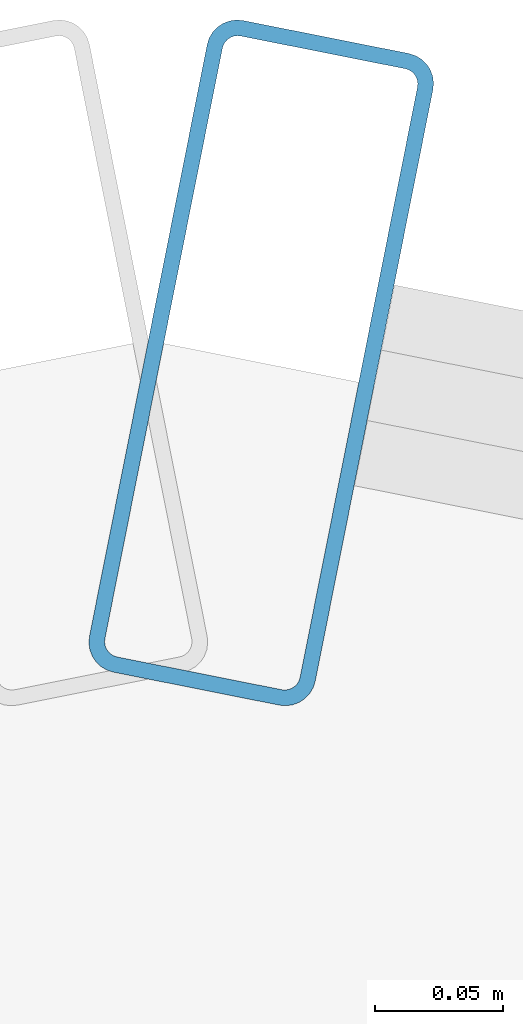
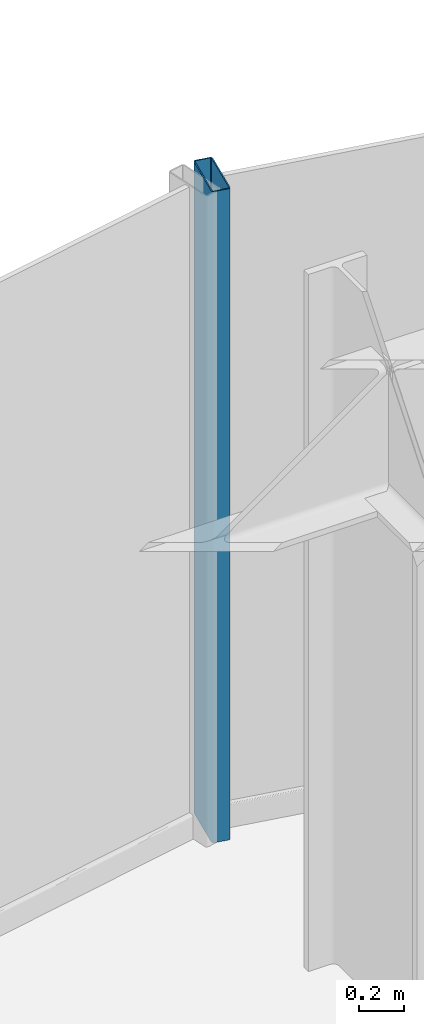
# One storey, part 15 of 25: 1 member, 1 element without a shape of its own.
"""IFC4 building model written with IfcOpenShell, lengths in metres."""

from ifc_helpers import new_model, si_unit, direction, frame, origin, origin_2d, place, context, subcontext, project, spatial, hollow_rectangle, extrude, source, transform, mapped, material, layer, layer_set, material_profile, profile_set, type_object, element, aggregate, save


model = new_model("IFC4")

# Units and contexts
model_context = context("Model", 3, precision=1e-05, world=origin(), true_north=direction((0.0, 1.0)))
body_context = subcontext(model_context, "Body", "Model", "MODEL_VIEW")
ifc_project = project(units=[si_unit("LENGTHUNIT", "METRE"), si_unit("AREAUNIT", "SQUARE_METRE"), si_unit("VOLUMEUNIT", "CUBIC_METRE"), si_unit("PLANEANGLEUNIT", "RADIAN"), si_unit("MASSUNIT", "GRAM", prefix="KILO")], contexts=[model_context])

# Site, building, storey
site_placement = place(None, origin())
site = spatial("IfcSite", under=ifc_project, at=site_placement, CompositionType="ELEMENT")
building_placement = place(site_placement, origin())
building = spatial("IfcBuilding", under=site, at=building_placement, Name="Nefas-Gora Pilgrimage Tower", CompositionType="ELEMENT")
storey_placement = place(building_placement, frame((0.0, 0.0, 52.0)))
storey = spatial("IfcBuildingStorey", under=building, at=storey_placement, Name="L11", CompositionType="ELEMENT", Elevation=52.0)

# Curtain wall, member
ifc_material_1 = material(Name="Dark ceramic-fritted solar-control aluminium-glass curtain wall", Category="aluminium")
ifc_layer = layer(ifc_material_1, 0.219970703125)
ifc_layer_set = layer_set([ifc_layer], Name="Dark ceramic-fritted solar-control aluminium-glass curtain wall")
curtain_wall_type = type_object("IfcCurtainWallType", Name="CW-SYS-5", PredefinedType="NOTDEFINED", material=ifc_layer_set)
curtain_wall_placement = place(storey_placement, origin())
curtain_wall = element("IfcCurtainWall", 1, at=curtain_wall_placement, inside=storey, type_object=curtain_wall_type, Name="L11 Unitised Curtain Wall CW5", PredefinedType="NOTDEFINED")
ifc_material_2 = material(Name="Anodised architectural aluminium", Category="aluminium")
ifc_material_profile = material_profile(ifc_material_2, hollow_rectangle(XDim=0.090087890625, YDim=0.260009765625, WallThickness=0.006103515625, InnerFilletRadius=0.006103515625, OuterFilletRadius=0.011962890625, at=origin_2d()), Name="ALU MULLION 90x260")
ifc_profile_set = profile_set([ifc_material_profile], Name="Anodised architectural aluminium")
member_type = type_object("IfcMemberType", Name="CWM-MUL-5", PredefinedType="MULLION", material=ifc_profile_set)
shared_shape = source(origin(), body_context, "Body", "SweptSolid", [
    extrude(hollow_rectangle(XDim=0.090087890625, YDim=0.260009765625, WallThickness=0.006103515625, InnerFilletRadius=0.006103515625, OuterFilletRadius=0.011962890625, at=origin_2d()), origin(), (0.0, 0.0, 1.0), 3.550048828125),
])
member_placement = place(storey_placement, frame((-2.205810546875, 24.16357421875, 0.0), z_axis=(0.0, 0.0, 1.0), x_axis=(-0.980782896852, 0.195102304554, 0.0)))
member = element("IfcMember", 2, at=member_placement, type_object=member_type, Name="CW5 Mullion 2", PredefinedType="MULLION", context=body_context, shape_type="MappedRepresentation", body=[
    mapped(shared_shape, transform((0.0, 0.0, 0.0), x_axis=(1.0, 0.0, 0.0), y_axis=(0.0, 1.0, 0.0), z_axis=(0.0, 0.0, 1.0), scale=1.0)),
])
aggregate(curtain_wall, [member])

save(model, "model.ifc")
